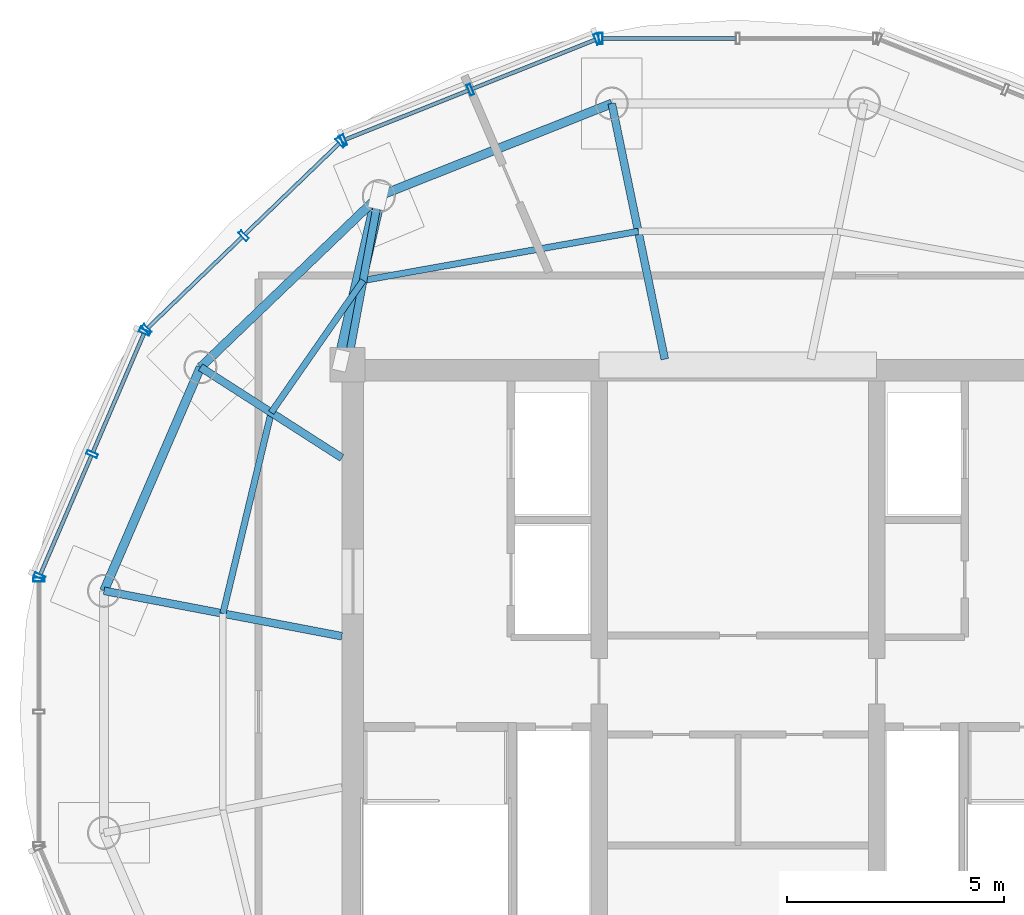
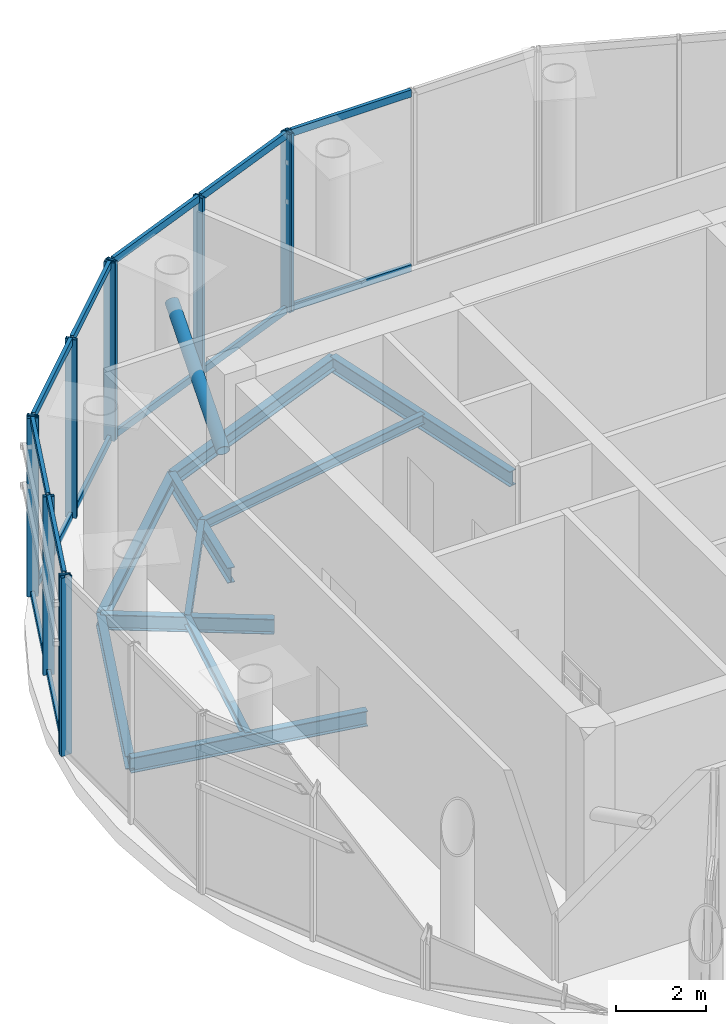
# One storey, part 6 of 13: 26 members, 10 beams, 5 elements without a shape of their own.
"""IFC4 building model written with IfcOpenShell, lengths in metres."""

from ifc_helpers import new_model, si_unit, direction, frame, origin, origin_2d, place, context, subcontext, project, spatial, hollow_rectangle, hollow_circle, i_section, extrude, source, transform, mapped, material, material_profile, profile_set, type_object, element, aggregate, save


model = new_model("IFC4")

# Units and contexts
model_context = context("Model", 3, precision=1e-05, world=origin(), true_north=direction((-0.2419218956, 0.970295726276)))
body_context = subcontext(model_context, "Body", "Model", "MODEL_VIEW")
ifc_project = project(units=[si_unit("LENGTHUNIT", "METRE"), si_unit("AREAUNIT", "SQUARE_METRE"), si_unit("VOLUMEUNIT", "CUBIC_METRE"), si_unit("PLANEANGLEUNIT", "RADIAN"), si_unit("MASSUNIT", "GRAM", prefix="KILO")], contexts=[model_context])

# Site, building, storey
site_placement = place(None, origin())
site = spatial("IfcSite", under=ifc_project, at=site_placement, CompositionType="ELEMENT")
building_placement = place(site_placement, origin())
building = spatial("IfcBuilding", under=site, at=building_placement, Name="Cobrevalo Terracotta Tower", CompositionType="ELEMENT")
storey_placement = place(building_placement, frame((0.0, 0.0, 332.10009765625)))
storey = spatial("IfcBuildingStorey", under=building, at=storey_placement, Name="L85", CompositionType="ELEMENT", Elevation=332.10009765625)

# Beams
ifc_material_1 = material(Name="Steel S355", Category="steel")
ifc_material_profile_1 = material_profile(ifc_material_1, i_section(OverallWidth=0.179931640625, OverallDepth=0.4130859375, WebThickness=0.009765625, FlangeThickness=0.01611328125, at=origin_2d()), Name="W 410x75")
ifc_profile_set_1 = profile_set([ifc_material_profile_1], Name="Steel S355")
beam_type_1 = type_object("IfcBeamType", Name="Structural Beam W 410x75 (Steel S355)", PredefinedType="BEAM", material=ifc_profile_set_1)
beam_1_placement = place(storey_placement, frame((35.09326171875, 40.8251953125, -0.626708984375), z_axis=(0.202919370173, -0.979195449953, 0.0), x_axis=(0.979195449953, 0.202919370173, 0.0)))
element("IfcBeam", 1, at=beam_1_placement, inside=storey, type_object=beam_type_1, Name="L85 radial floor girder 05", PredefinedType="BEAM", context=body_context, shape_type="SweptSolid", body=[
    extrude(i_section(OverallWidth=0.179931640625, OverallDepth=0.4130859375, WebThickness=0.009765625, FlangeThickness=0.01611328125, at=origin_2d()), origin(), (0.0, 0.0, 1.0), 6.0205078125),
])
beam_2_placement = place(storey_placement, frame((29.721923828125, 38.68994140625, -0.626708984375), z_axis=(-0.18247374128, -0.983210727028, 0.0), x_axis=(0.983210727028, -0.18247374128, 0.0)))
element("IfcBeam", 2, at=beam_2_placement, inside=storey, type_object=beam_type_1, Name="L85 radial floor girder 06", PredefinedType="BEAM", context=body_context, shape_type="SweptSolid", body=[
    extrude(i_section(OverallWidth=0.179931640625, OverallDepth=0.4130859375, WebThickness=0.009765625, FlangeThickness=0.01611328125, at=origin_2d()), origin(), (0.0, 0.0, 1.0), 3.956298828125),
])
beam_3_placement = place(storey_placement, frame((25.611083984375, 34.74462890625, -0.626708984375), z_axis=(0.841794646381, -0.539797900444, 0.0), x_axis=(0.539797900444, 0.841794646381, 0.0)))
element("IfcBeam", 3, at=beam_3_placement, inside=storey, type_object=beam_type_1, Name="L85 radial floor girder 07", PredefinedType="BEAM", context=body_context, shape_type="SweptSolid", body=[
    extrude(i_section(OverallWidth=0.179931640625, OverallDepth=0.4130859375, WebThickness=0.009765625, FlangeThickness=0.01611328125, at=origin_2d()), origin(), (0.0, 0.0, 1.0), 3.87158203125),
])
beam_4_placement = place(storey_placement, frame((23.38623046875, 29.58984375, -0.626708984375), z_axis=(0.982261932892, -0.187513986655, 0.0), x_axis=(0.187513986655, 0.982261932892, 0.0)))
element("IfcBeam", 4, at=beam_4_placement, inside=storey, type_object=beam_type_1, Name="L85 radial floor girder 08", PredefinedType="BEAM", context=body_context, shape_type="SweptSolid", body=[
    extrude(i_section(OverallWidth=0.179931640625, OverallDepth=0.4130859375, WebThickness=0.009765625, FlangeThickness=0.01611328125, at=origin_2d()), origin(), (0.0, 0.0, 1.0), 5.5830078125),
])
ifc_material_profile_2 = material_profile(ifc_material_1, i_section(OverallWidth=0.14794921875, OverallDepth=0.26611328125, WebThickness=0.007568359375, FlangeThickness=0.012939453125, at=origin_2d()), Name="W 250x44.8")
ifc_profile_set_2 = profile_set([ifc_material_profile_2], Name="Steel S355")
beam_type_2 = type_object("IfcBeamType", Name="Structural Joist W 250x44.8 (Steel S355)", PredefinedType="JOIST", material=ifc_profile_set_2)
beam_5_placement = place(storey_placement, frame((35.7041015625, 37.877685546875, -0.552978515625), z_axis=(-0.984430619707, -0.175773590117, 0.0), x_axis=(0.175773590117, -0.984430619707, 0.0)))
element("IfcBeam", 5, at=beam_5_placement, inside=storey, type_object=beam_type_2, Name="L85 circumferential secondary floor joist 05", PredefinedType="JOIST", context=body_context, shape_type="SweptSolid", body=[
    extrude(i_section(OverallWidth=0.14794921875, OverallDepth=0.26611328125, WebThickness=0.007568359375, FlangeThickness=0.012939453125, at=origin_2d()), origin(), (0.0, 0.0, 1.0), 6.443359375),
])
beam_6_placement = place(storey_placement, frame((29.361083984375, 36.7451171875, -0.552978515625), z_axis=(-0.571438375461, -0.82064497991, 0.0), x_axis=(0.82064497991, -0.571438375461, 0.0)))
element("IfcBeam", 6, at=beam_6_placement, inside=storey, type_object=beam_type_2, Name="L85 circumferential secondary floor joist 06", PredefinedType="JOIST", context=body_context, shape_type="SweptSolid", body=[
    extrude(i_section(OverallWidth=0.14794921875, OverallDepth=0.26611328125, WebThickness=0.007568359375, FlangeThickness=0.012939453125, at=origin_2d()), origin(), (0.0, 0.0, 1.0), 3.7109375),
])
beam_7_placement = place(storey_placement, frame((27.240478515625, 33.69970703125, -0.552978515625), z_axis=(-0.233434963284, -0.972372417295, 0.0), x_axis=(0.972372417295, -0.233434963284, 0.0)))
element("IfcBeam", 7, at=beam_7_placement, inside=storey, type_object=beam_type_2, Name="L85 circumferential secondary floor joist 07", PredefinedType="JOIST", context=body_context, shape_type="SweptSolid", body=[
    extrude(i_section(OverallWidth=0.14794921875, OverallDepth=0.26611328125, WebThickness=0.007568359375, FlangeThickness=0.012939453125, at=origin_2d()), origin(), (0.0, 0.0, 1.0), 4.764892578125),
])
ifc_material_profile_3 = material_profile(ifc_material_1, i_section(OverallWidth=0.205078125, OverallDepth=0.35400390625, WebThickness=0.009521484375, FlangeThickness=0.016845703125, at=origin_2d()), Name="W 360x79")
ifc_profile_set_3 = profile_set([ifc_material_profile_3], Name="Steel S355")
beam_type_3 = type_object("IfcBeamType", Name="Structural Spandrel W 360x79 (Steel S355)", PredefinedType="SPANDREL", material=ifc_profile_set_3)
beam_8_placement = place(storey_placement, frame((35.09326171875, 40.8251953125, -0.59716796875), z_axis=(-0.929266894942, -0.369409038824, 0.0), x_axis=(0.369409038824, -0.929266894942, 0.0)))
element("IfcBeam", 8, at=beam_8_placement, inside=storey, type_object=beam_type_3, Name="L85 perimeter ring spandrel 05", PredefinedType="SPANDREL", context=body_context, shape_type="SweptSolid", body=[
    extrude(i_section(OverallWidth=0.205078125, OverallDepth=0.35400390625, WebThickness=0.009521484375, FlangeThickness=0.016845703125, at=origin_2d()), origin(), (0.0, 0.0, 1.0), 5.7802734375),
])
beam_9_placement = place(storey_placement, frame((29.721923828125, 38.68994140625, -0.59716796875), z_axis=(-0.72148321486, -0.69243192494, 0.0), x_axis=(0.69243192494, -0.72148321486, 0.0)))
element("IfcBeam", 9, at=beam_9_placement, inside=storey, type_object=beam_type_3, Name="L85 perimeter ring spandrel 06", PredefinedType="SPANDREL", context=body_context, shape_type="SweptSolid", body=[
    extrude(i_section(OverallWidth=0.205078125, OverallDepth=0.35400390625, WebThickness=0.009521484375, FlangeThickness=0.016845703125, at=origin_2d()), origin(), (0.0, 0.0, 1.0), 5.69775390625),
])
beam_10_placement = place(storey_placement, frame((25.611083984375, 34.74462890625, -0.59716796875), z_axis=(-0.396274415101, -0.918132118999, 0.0), x_axis=(0.918132118999, -0.396274415101, 0.0)))
element("IfcBeam", 10, at=beam_10_placement, inside=storey, type_object=beam_type_3, Name="L85 perimeter ring spandrel 07", PredefinedType="SPANDREL", context=body_context, shape_type="SweptSolid", body=[
    extrude(i_section(OverallWidth=0.205078125, OverallDepth=0.35400390625, WebThickness=0.009521484375, FlangeThickness=0.016845703125, at=origin_2d()), origin(), (0.0, 0.0, 1.0), 5.614501953125),
])

# Member
ifc_material_profile_4 = material_profile(ifc_material_1, hollow_circle(Radius=0.162109375, WallThickness=0.013916015625, at=origin_2d()), Name="CHS 324x14")
ifc_profile_set_4 = profile_set([ifc_material_profile_4], Name="Steel S355")
member_type_1 = type_object("IfcMemberType", Name="Steel Brace CHS 324x14 (Steel S355)", PredefinedType="BRACE", material=ifc_profile_set_4)
shared_shape_1 = source(origin(), body_context, "Body", "SweptSolid", [
    extrude(hollow_circle(Radius=0.162109375, WallThickness=0.013916015625, at=origin_2d()), origin(), (0.0, 0.0, 1.0), 4.150634765625),
])
member_1_placement = place(storey_placement, frame((28.85009765625, 34.89990234375, 2.75), z_axis=(0.210052159385, 0.913147499943, 0.349341857908), x_axis=(-0.974548603832, 0.224176311794, 0.0)))
element("IfcMember", 11, at=member_1_placement, inside=storey, type_object=member_type_1, Name="L85 CROWN FRAME radial brace 02", PredefinedType="BRACE", context=body_context, shape_type="MappedRepresentation", body=[
    mapped(shared_shape_1, transform((0.0, 0.0, 0.0), scale=1.0)),
])

# Curtain wall, members
ifc_material_2 = material(Name="Anodized aluminium", Category="aluminium")
curtain_wall_type = type_object("IfcCurtainWallType", Name="Faceted glass-point crown structural glazing system CW-CR", PredefinedType="NOTDEFINED", material=ifc_material_2)
curtain_wall_1_placement = place(storey_placement, origin())
curtain_wall_1 = element("IfcCurtainWall", 12, at=curtain_wall_1_placement, inside=storey, type_object=curtain_wall_type, Name="L85 curtain wall CW-CRN-L85-S07", PredefinedType="NOTDEFINED")
ifc_material_profile_5 = material_profile(ifc_material_2, hollow_rectangle(XDim=0.090087890625, YDim=0.195068359375, WallThickness=0.005615234375, at=origin_2d()), Name="CWT 90x195")
ifc_profile_set_5 = profile_set([ifc_material_profile_5], Name="Anodized aluminium")
member_type_2 = type_object("IfcMemberType", Name="Crown structural aluminium transom 90x195", PredefinedType="USERDEFINED", material=ifc_profile_set_5)
shared_shape_2 = source(origin(), body_context, "Body", "SweptSolid", [
    extrude(hollow_rectangle(XDim=0.090087890625, YDim=0.195068359375, WallThickness=0.005615234375, at=origin_2d()), origin(), (0.0, 0.0, 1.0), 2.98583984375),
])
member_2_placement = place(storey_placement, frame((23.096435546875, 32.704833984375, 0.0498046875), z_axis=(-0.394925619427, -0.918713097284, 0.0), x_axis=(0.918713097284, -0.394925619427, 0.0)))
member_2 = element("IfcMember", 13, at=member_2_placement, type_object=member_type_2, Name="CW-CRN-L85-S07 transom B02-T1", ObjectType="TRANSOM", PredefinedType="USERDEFINED", context=body_context, shape_type="MappedRepresentation", body=[
    mapped(shared_shape_2, transform((0.0, 0.0, 0.0), scale=1.0)),
])
member_3_placement = place(storey_placement, frame((23.096435546875, 32.704833984375, 4.7998046875), z_axis=(-0.394925619427, -0.918713097284, 0.0), x_axis=(0.918713097284, -0.394925619427, 0.0)))
member_3 = element("IfcMember", 14, at=member_3_placement, type_object=member_type_2, Name="CW-CRN-L85-S07 transom B02-T2", ObjectType="TRANSOM", PredefinedType="USERDEFINED", context=body_context, shape_type="MappedRepresentation", body=[
    mapped(shared_shape_2, transform((0.0, 0.0, 0.0), scale=1.0)),
])
shared_shape_3 = source(origin(), body_context, "Body", "SweptSolid", [
    extrude(hollow_rectangle(XDim=0.090087890625, YDim=0.195068359375, WallThickness=0.005615234375, at=origin_2d()), origin(), (0.0, 0.0, 1.0), 2.985595703125),
])
member_4_placement = place(storey_placement, frame((24.307373046875, 35.521240234375, 0.0498046875), z_axis=(-0.39495528775, -0.918700343245, 0.0), x_axis=(0.918700343245, -0.39495528775, 0.0)))
member_4 = element("IfcMember", 15, at=member_4_placement, type_object=member_type_2, Name="CW-CRN-L85-S07 transom B01-T1", ObjectType="TRANSOM", PredefinedType="USERDEFINED", context=body_context, shape_type="MappedRepresentation", body=[
    mapped(shared_shape_3, transform((0.0, 0.0, 0.0), scale=1.0)),
])
member_5_placement = place(storey_placement, frame((24.307373046875, 35.521240234375, 4.7998046875), z_axis=(-0.39495528775, -0.918700343245, 0.0), x_axis=(0.918700343245, -0.39495528775, 0.0)))
member_5 = element("IfcMember", 16, at=member_5_placement, type_object=member_type_2, Name="CW-CRN-L85-S07 transom B01-T2", ObjectType="TRANSOM", PredefinedType="USERDEFINED", context=body_context, shape_type="MappedRepresentation", body=[
    mapped(shared_shape_3, transform((0.0, 0.0, 0.0), scale=1.0)),
])

curtain_wall_2_placement = place(storey_placement, origin())
curtain_wall_2 = element("IfcCurtainWall", 17, at=curtain_wall_2_placement, inside=storey, type_object=curtain_wall_type, Name="L85 curtain wall CW-CRN-L85-S06", PredefinedType="NOTDEFINED")
shared_shape_4 = source(origin(), body_context, "Body", "SweptSolid", [
    extrude(hollow_rectangle(XDim=0.090087890625, YDim=0.195068359375, WallThickness=0.005615234375, at=origin_2d()), origin(), (0.0, 0.0, 1.0), 3.027587890625),
])
member_6_placement = place(storey_placement, frame((28.814453125, 39.90673828125, 0.0498046875), z_axis=(-0.720129171854, -0.693840021795, 0.0), x_axis=(0.693840021795, -0.720129171854, 0.0)))
member_6 = element("IfcMember", 18, at=member_6_placement, type_object=member_type_2, Name="CW-CRN-L85-S06 transom B01-T1", ObjectType="TRANSOM", PredefinedType="USERDEFINED", context=body_context, shape_type="MappedRepresentation", body=[
    mapped(shared_shape_4, transform((0.0, 0.0, 0.0), scale=1.0)),
])
member_7_placement = place(storey_placement, frame((28.814453125, 39.90673828125, 4.7998046875), z_axis=(-0.720129171854, -0.693840021795, 0.0), x_axis=(0.693840021795, -0.720129171854, 0.0)))
member_7 = element("IfcMember", 19, at=member_7_placement, type_object=member_type_2, Name="CW-CRN-L85-S06 transom B01-T2", ObjectType="TRANSOM", PredefinedType="USERDEFINED", context=body_context, shape_type="MappedRepresentation", body=[
    mapped(shared_shape_4, transform((0.0, 0.0, 0.0), scale=1.0)),
])
member_8_placement = place(storey_placement, frame((26.57666015625, 37.750732421875, 0.0498046875), z_axis=(-0.720129171854, -0.693840021795, 0.0), x_axis=(0.693840021795, -0.720129171854, 0.0)))
member_8 = element("IfcMember", 20, at=member_8_placement, type_object=member_type_2, Name="CW-CRN-L85-S06 transom B02-T1", ObjectType="TRANSOM", PredefinedType="USERDEFINED", context=body_context, shape_type="MappedRepresentation", body=[
    mapped(shared_shape_4, transform((0.0, 0.0, 0.0), scale=1.0)),
])
member_9_placement = place(storey_placement, frame((26.57666015625, 37.750732421875, 4.7998046875), z_axis=(-0.720129171854, -0.693840021795, 0.0), x_axis=(0.693840021795, -0.720129171854, 0.0)))
member_9 = element("IfcMember", 21, at=member_9_placement, type_object=member_type_2, Name="CW-CRN-L85-S06 transom B02-T2", ObjectType="TRANSOM", PredefinedType="USERDEFINED", context=body_context, shape_type="MappedRepresentation", body=[
    mapped(shared_shape_4, transform((0.0, 0.0, 0.0), scale=1.0)),
])

curtain_wall_3_placement = place(storey_placement, origin())
curtain_wall_3 = element("IfcCurtainWall", 22, at=curtain_wall_3_placement, inside=storey, type_object=curtain_wall_type, Name="L85 curtain wall CW-CRN-L85-S05", PredefinedType="NOTDEFINED")
shared_shape_5 = source(origin(), body_context, "Body", "SweptSolid", [
    extrude(hollow_rectangle(XDim=0.090087890625, YDim=0.195068359375, WallThickness=0.005615234375, at=origin_2d()), origin(), (0.0, 0.0, 1.0), 3.068359375),
])
member_10_placement = place(storey_placement, frame((31.796142578125, 41.129150390625, 0.0498046875), z_axis=(-0.928756274811, -0.370690952141, 0.0), x_axis=(0.370690952141, -0.928756274811, 0.0)))
member_10 = element("IfcMember", 23, at=member_10_placement, type_object=member_type_2, Name="CW-CRN-L85-S05 transom B02-T1", ObjectType="TRANSOM", PredefinedType="USERDEFINED", context=body_context, shape_type="MappedRepresentation", body=[
    mapped(shared_shape_5, transform((0.0, 0.0, 0.0), scale=1.0)),
])
member_11_placement = place(storey_placement, frame((31.796142578125, 41.129150390625, 4.7998046875), z_axis=(-0.928756274811, -0.370690952141, 0.0), x_axis=(0.370690952141, -0.928756274811, 0.0)))
member_11 = element("IfcMember", 24, at=member_11_placement, type_object=member_type_2, Name="CW-CRN-L85-S05 transom B02-T2", ObjectType="TRANSOM", PredefinedType="USERDEFINED", context=body_context, shape_type="MappedRepresentation", body=[
    mapped(shared_shape_5, transform((0.0, 0.0, 0.0), scale=1.0)),
])
shared_shape_6 = source(origin(), body_context, "Body", "SweptSolid", [
    extrude(hollow_rectangle(XDim=0.090087890625, YDim=0.195068359375, WallThickness=0.005615234375, at=origin_2d()), origin(), (0.0, 0.0, 1.0), 3.068603515625),
])
member_12_placement = place(storey_placement, frame((34.720458984375, 42.296142578125, 0.0498046875), z_axis=(-0.928794593829, -0.370594930448, 0.0), x_axis=(0.370594930448, -0.928794593829, 0.0)))
member_12 = element("IfcMember", 25, at=member_12_placement, type_object=member_type_2, Name="CW-CRN-L85-S05 transom B01-T1", ObjectType="TRANSOM", PredefinedType="USERDEFINED", context=body_context, shape_type="MappedRepresentation", body=[
    mapped(shared_shape_6, transform((0.0, 0.0, 0.0), scale=1.0)),
])
member_13_placement = place(storey_placement, frame((34.720458984375, 42.296142578125, 4.7998046875), z_axis=(-0.928794593829, -0.370594930448, 0.0), x_axis=(0.370594930448, -0.928794593829, 0.0)))
member_13 = element("IfcMember", 26, at=member_13_placement, type_object=member_type_2, Name="CW-CRN-L85-S05 transom B01-T2", ObjectType="TRANSOM", PredefinedType="USERDEFINED", context=body_context, shape_type="MappedRepresentation", body=[
    mapped(shared_shape_6, transform((0.0, 0.0, 0.0), scale=1.0)),
])

curtain_wall_4_placement = place(storey_placement, origin())
curtain_wall_4 = element("IfcCurtainWall", 27, at=curtain_wall_4_placement, inside=storey, type_object=curtain_wall_type, Name="L85 curtain wall CW-CRN-L85-S04", PredefinedType="NOTDEFINED")
shared_shape_7 = source(origin(), body_context, "Body", "SweptSolid", [
    extrude(hollow_rectangle(XDim=0.090087890625, YDim=0.195068359375, WallThickness=0.005615234375, at=origin_2d()), origin(), (0.0, 0.0, 1.0), 3.085205078125),
])
member_14_placement = place(storey_placement, frame((37.9599609375, 42.325927734375, 0.0498046875), z_axis=(-1.0, 0.0, 0.0), x_axis=(0.0, -1.0, 0.0)))
member_14 = element("IfcMember", 28, at=member_14_placement, type_object=member_type_2, Name="CW-CRN-L85-S04 transom B02-T1", ObjectType="TRANSOM", PredefinedType="USERDEFINED", context=body_context, shape_type="MappedRepresentation", body=[
    mapped(shared_shape_7, transform((0.0, 0.0, 0.0), scale=1.0)),
])
member_15_placement = place(storey_placement, frame((37.9599609375, 42.325927734375, 4.7998046875), z_axis=(-1.0, 0.0, 0.0), x_axis=(0.0, -1.0, 0.0)))
member_15 = element("IfcMember", 29, at=member_15_placement, type_object=member_type_2, Name="CW-CRN-L85-S04 transom B02-T2", ObjectType="TRANSOM", PredefinedType="USERDEFINED", context=body_context, shape_type="MappedRepresentation", body=[
    mapped(shared_shape_7, transform((0.0, 0.0, 0.0), scale=1.0)),
])
ifc_material_profile_6 = material_profile(ifc_material_2, hollow_rectangle(XDim=0.090087890625, YDim=0.260009765625, WallThickness=0.006103515625, at=origin_2d()), Name="CWM 90x260")
ifc_profile_set_6 = profile_set([ifc_material_profile_6], Name="Anodized aluminium")
member_type_3 = type_object("IfcMemberType", Name="Crown structural glass mullion 90x260", PredefinedType="MULLION", material=ifc_profile_set_6)
shared_shape_8 = source(origin(), body_context, "Body", "SweptSolid", [
    extrude(hollow_rectangle(XDim=0.090087890625, YDim=0.260009765625, WallThickness=0.006103515625, at=origin_2d()), origin(), (0.0, 0.0, 1.0), 4.849853515625),
])
member_16_placement = place(storey_placement, frame((34.834716796875, 42.325927734375, 0.0), z_axis=(0.0, 0.0, 1.0), x_axis=(-1.0, 0.0, 0.0)))
member_16 = element("IfcMember", 30, at=member_16_placement, type_object=member_type_3, Name="CW-CRN-L85-S04 vertical mullion 03", PredefinedType="MULLION", context=body_context, shape_type="MappedRepresentation", body=[
    mapped(shared_shape_8, transform((0.0, 0.0, 0.0), scale=1.0)),
])
aggregate(curtain_wall_4, [member_16, member_14, member_15])

# Member
member_17_placement = place(storey_placement, frame((34.757568359375, 42.31103515625, 0.0), z_axis=(0.0, 0.0, 1.0), x_axis=(-0.928770743095, -0.370654700187, 0.0)))
member_17 = element("IfcMember", 31, at=member_17_placement, type_object=member_type_3, Name="CW-CRN-L85-S05 vertical mullion 01", PredefinedType="MULLION", context=body_context, shape_type="MappedRepresentation", body=[
    mapped(shared_shape_8, transform((0.0, 0.0, 0.0), scale=1.0)),
])

member_18_placement = place(storey_placement, frame((31.833251953125, 41.14404296875, 0.0), z_axis=(0.0, 0.0, 1.0), x_axis=(-0.928770743095, -0.370654700187, 0.0)))
member_18 = element("IfcMember", 32, at=member_18_placement, type_object=member_type_3, Name="CW-CRN-L85-S05 vertical mullion 02", PredefinedType="MULLION", context=body_context, shape_type="MappedRepresentation", body=[
    mapped(shared_shape_8, transform((0.0, 0.0, 0.0), scale=1.0)),
])

member_19_placement = place(storey_placement, frame((28.9091796875, 39.97705078125, 0.0), z_axis=(0.0, 0.0, 1.0), x_axis=(-0.928770743095, -0.370654700187, 0.0)))
member_19 = element("IfcMember", 33, at=member_19_placement, type_object=member_type_3, Name="CW-CRN-L85-S05 vertical mullion 03", PredefinedType="MULLION", context=body_context, shape_type="MappedRepresentation", body=[
    mapped(shared_shape_8, transform((0.0, 0.0, 0.0), scale=1.0)),
])

aggregate(curtain_wall_3, [member_17, member_18, member_19, member_12, member_13, member_10, member_11])

member_20_placement = place(storey_placement, frame((28.84326171875, 39.934326171875, 0.0), z_axis=(0.0, 0.0, 1.0), x_axis=(-0.72013951191, -0.693829289801, 0.0)))
member_20 = element("IfcMember", 34, at=member_20_placement, type_object=member_type_3, Name="CW-CRN-L85-S06 vertical mullion 01", PredefinedType="MULLION", context=body_context, shape_type="MappedRepresentation", body=[
    mapped(shared_shape_8, transform((0.0, 0.0, 0.0), scale=1.0)),
])

member_21_placement = place(storey_placement, frame((26.60546875, 37.7783203125, 0.0), z_axis=(0.0, 0.0, 1.0), x_axis=(-0.72013951191, -0.693829289801, 0.0)))
member_21 = element("IfcMember", 35, at=member_21_placement, type_object=member_type_3, Name="CW-CRN-L85-S06 vertical mullion 02", PredefinedType="MULLION", context=body_context, shape_type="MappedRepresentation", body=[
    mapped(shared_shape_8, transform((0.0, 0.0, 0.0), scale=1.0)),
])

member_22_placement = place(storey_placement, frame((24.36767578125, 35.622314453125, 0.0), z_axis=(0.0, 0.0, 1.0), x_axis=(-0.72013951191, -0.693829289801, 0.0)))
member_22 = element("IfcMember", 36, at=member_22_placement, type_object=member_type_3, Name="CW-CRN-L85-S06 vertical mullion 03", PredefinedType="MULLION", context=body_context, shape_type="MappedRepresentation", body=[
    mapped(shared_shape_8, transform((0.0, 0.0, 0.0), scale=1.0)),
])

aggregate(curtain_wall_2, [member_20, member_21, member_22, member_6, member_7, member_8, member_9])

member_23_placement = place(storey_placement, frame((24.3232421875, 35.557861328125, 0.0), z_axis=(0.0, 0.0, 1.0), x_axis=(-0.394968347643, -0.918694728602, 0.0)))
member_23 = element("IfcMember", 37, at=member_23_placement, type_object=member_type_3, Name="CW-CRN-L85-S07 vertical mullion 01", PredefinedType="MULLION", context=body_context, shape_type="MappedRepresentation", body=[
    mapped(shared_shape_8, transform((0.0, 0.0, 0.0), scale=1.0)),
])

member_24_placement = place(storey_placement, frame((23.1123046875, 32.741455078125, 0.0), z_axis=(0.0, 0.0, 1.0), x_axis=(-0.394968347643, -0.918694728602, 0.0)))
member_24 = element("IfcMember", 38, at=member_24_placement, type_object=member_type_3, Name="CW-CRN-L85-S07 vertical mullion 02", PredefinedType="MULLION", context=body_context, shape_type="MappedRepresentation", body=[
    mapped(shared_shape_8, transform((0.0, 0.0, 0.0), scale=1.0)),
])

member_25_placement = place(storey_placement, frame((21.901611328125, 29.925048828125, 0.0), z_axis=(0.0, 0.0, 1.0), x_axis=(-0.394968347643, -0.918694728602, 0.0)))
member_25 = element("IfcMember", 39, at=member_25_placement, type_object=member_type_3, Name="CW-CRN-L85-S07 vertical mullion 03", PredefinedType="MULLION", context=body_context, shape_type="MappedRepresentation", body=[
    mapped(shared_shape_8, transform((0.0, 0.0, 0.0), scale=1.0)),
])

aggregate(curtain_wall_1, [member_23, member_24, member_25, member_4, member_5, member_2, member_3])

# Curtain wall, member
curtain_wall_5_placement = place(storey_placement, origin())
curtain_wall_5 = element("IfcCurtainWall", 40, at=curtain_wall_5_placement, inside=storey, type_object=curtain_wall_type, Name="L85 curtain wall CW-CRN-L85-S08", PredefinedType="NOTDEFINED")
member_26_placement = place(storey_placement, frame((21.8857421875, 29.848388671875, 0.0), z_axis=(0.0, 0.0, 1.0), x_axis=(0.0, -1.0, 0.0)))
member_26 = element("IfcMember", 41, at=member_26_placement, type_object=member_type_3, Name="CW-CRN-L85-S08 vertical mullion 01", PredefinedType="MULLION", context=body_context, shape_type="MappedRepresentation", body=[
    mapped(shared_shape_8, transform((0.0, 0.0, 0.0), scale=1.0)),
])
aggregate(curtain_wall_5, [member_26])

save(model, "model.ifc")
